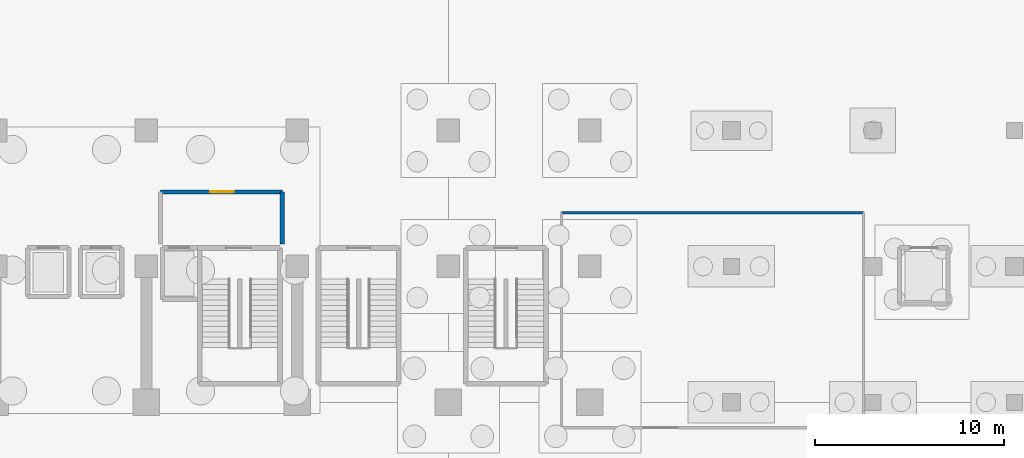
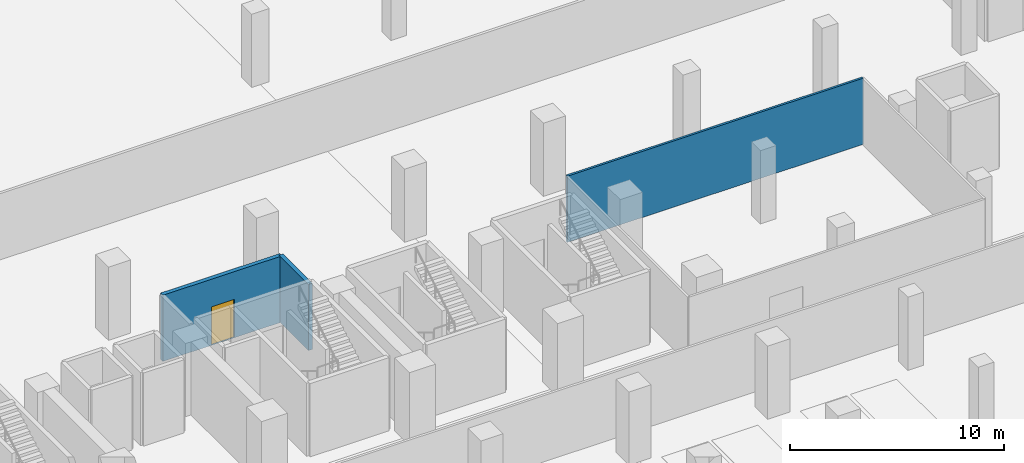
# One storey, part 14 of 26: 3 walls, 1 door, 1 opening.
"""IFC4 building model written with IfcOpenShell, lengths in metres."""

from ifc_helpers import new_model, si_unit, direction, frame, frame_2d, origin, place, context, subcontext, project, spatial, rectangle, extrude, material, layer, layer_set, type_object, element, fill, save


model = new_model("IFC4")

# Units and contexts
model_context = context("Model", 3, precision=1e-05, world=origin(), true_north=direction((0.0, 1.0)))
body_context = subcontext(model_context, "Body", "Model", "MODEL_VIEW")
ifc_project = project(units=[si_unit("LENGTHUNIT", "METRE"), si_unit("AREAUNIT", "SQUARE_METRE"), si_unit("VOLUMEUNIT", "CUBIC_METRE"), si_unit("PLANEANGLEUNIT", "RADIAN"), si_unit("MASSUNIT", "GRAM", prefix="KILO")], contexts=[model_context])

# Site, building, storey
site_placement = place(None, origin())
site = spatial("IfcSite", under=ifc_project, at=site_placement, CompositionType="ELEMENT")
building_placement = place(site_placement, origin())
building = spatial("IfcBuilding", under=site, at=building_placement, Name="Akrevak Sports Hall", CompositionType="ELEMENT")
storey_placement = place(building_placement, frame((0.0, 0.0, -9.0)))
storey = spatial("IfcBuildingStorey", under=building, at=storey_placement, Name="B02", CompositionType="ELEMENT", Elevation=-9.0)

# Wall
ifc_material_1 = material(Name="Standard Metal Stud Partition", Category="gypsum")
ifc_layer_1 = layer(ifc_material_1, 0.1201171875, Name="Standard Metal Stud Partition")
ifc_layer_set_1 = layer_set([ifc_layer_1], Name="Standard Metal Stud Partition")
wall_type_1 = type_object("IfcWallType", Name="ARC-WL-PRT-120", PredefinedType="PARTITIONING", material=ifc_layer_set_1)
wall_1_placement = place(storey_placement, frame((114.0, 65.25, 0.0), z_axis=(0.0, 0.0, 1.0), x_axis=(1.0, 0.0, 0.0)))
element("IfcWall", 1, at=wall_1_placement, inside=storey, type_object=wall_type_1, Name="Interior Partition Athletic Gear & Equipment Storage B02 (N)", PredefinedType="PARTITIONING", context=body_context, shape_type="SweptSolid", body=[
    extrude(rectangle(XDim=16.0, YDim=0.1201171875, at=frame_2d((8.0, 0.0))), origin(), (0.0, 0.0, 1.0), 3.780029296875),
])

# Wall, opening, door
ifc_material_2 = material(Name="Concrete C40/50", Category="concrete")
ifc_layer_2 = layer(ifc_material_2, 0.219970703125, Name="Concrete C40/50")
ifc_layer_set_2 = layer_set([ifc_layer_2], Name="Concrete C40/50")
wall_type_2 = type_object("IfcWallType", Name="ARC-WL-PRT-220", PredefinedType="PARTITIONING", material=ifc_layer_set_2)
wall_2_placement = place(storey_placement, frame((92.75, 66.35009765625, 0.0), z_axis=(0.0, 0.0, 1.0), x_axis=(1.0, 0.0, 0.0)))
wall_2 = element("IfcWall", 2, at=wall_2_placement, inside=storey, type_object=wall_type_2, Name="Interior Partition Firefighting Lobby East B02 (N)", PredefinedType="PARTITIONING", context=body_context, shape_type="SweptSolid", body=[
    extrude(rectangle(XDim=6.449951171875, YDim=0.219970703125, at=frame_2d((3.22509765625, 0.0))), origin(), (0.0, 0.0, 1.0), 3.780029296875),
])
opening_placement = place(wall_2_placement, frame((2.625, 0.0, 0.0)))
opening = element("IfcOpeningElement", 3, at=opening_placement, cuts=wall_2, Name="Opening FD-01", PredefinedType="OPENING", context=body_context, shape_type="SweptSolid", body=[
    extrude(rectangle(XDim=1.25, YDim=2.199951171875, at=frame_2d((0.625, 1.10009765625))), frame((0.0, 0.1220703125, 0.0), z_axis=(0.0, -1.0, 0.0), x_axis=(1.0, 0.0, 0.0)), (0.0, 0.0, 1.0), 0.243896484375),
])
ifc_material_3 = material(Name="Fire-Rated Galvanized Door Steel", Category="steel")
door_type = type_object("IfcDoorType", Name="ARC-DR-FFL-125x220", OperationType="NOTDEFINED", PredefinedType="DOOR", material=ifc_material_3)
door_placement = place(opening_placement, frame((1.25, 0.0, 0.0), z_axis=(0.0, 0.0, 1.0), x_axis=(-1.0, 0.0, 0.0)))
door = element("IfcDoor", 4, at=door_placement, inside=storey, type_object=door_type, Name="Door to Firefighting Lobby East B02", OperationType="SINGLE_SWING_RIGHT", OverallHeight=2.199951171875, OverallWidth=1.25, PredefinedType="DOOR", context=body_context, shape_type="SweptSolid", body=[
    extrude(rectangle(XDim=1.25, YDim=2.199951171875, at=frame_2d((0.625, 1.10009765625))), frame((0.0, 0.02490234375, 0.0), z_axis=(0.0, -1.0, 0.0), x_axis=(1.0, 0.0, 0.0)), (0.0, 0.0, 1.0), 0.050048828125),
])
fill(opening, door)

# Wall
wall_3_placement = place(storey_placement, frame((99.199951171875, 63.60009765625, 0.0), z_axis=(0.0, 0.0, 1.0), x_axis=(0.0, 1.0, 0.0)))
element("IfcWall", 5, at=wall_3_placement, inside=storey, type_object=wall_type_2, Name="Interior Partition Firefighting Lobby East B02 (E)", PredefinedType="PARTITIONING", context=body_context, shape_type="SweptSolid", body=[
    extrude(rectangle(XDim=2.75, YDim=0.219970703125, at=frame_2d((1.375, 0.0))), origin(), (0.0, 0.0, 1.0), 3.780029296875),
])

save(model, "model.ifc")
